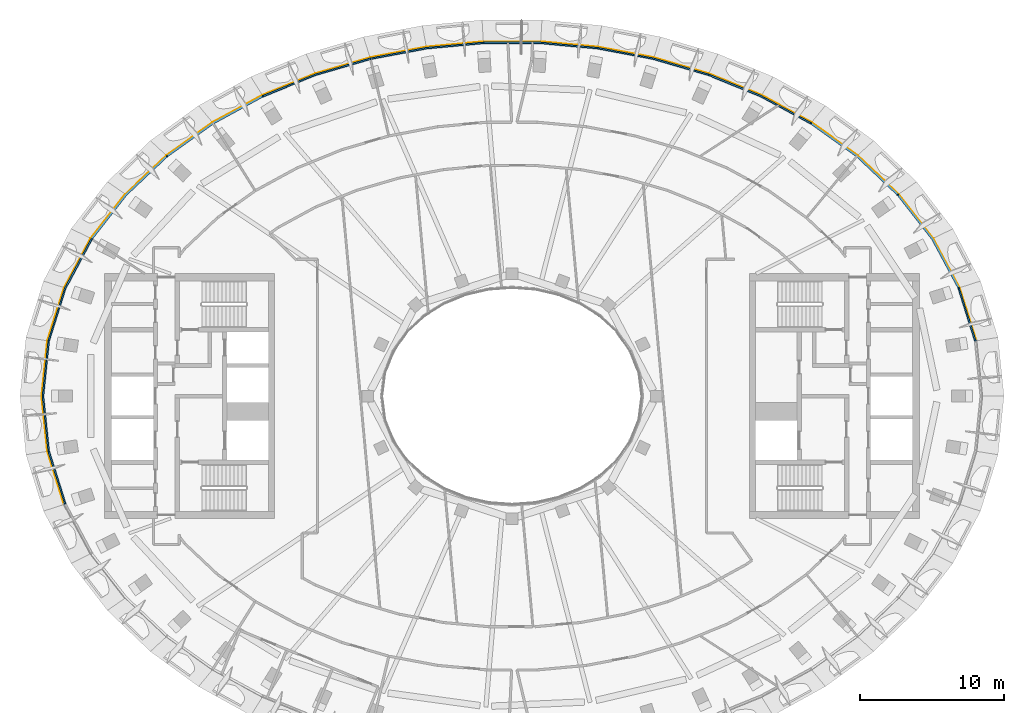
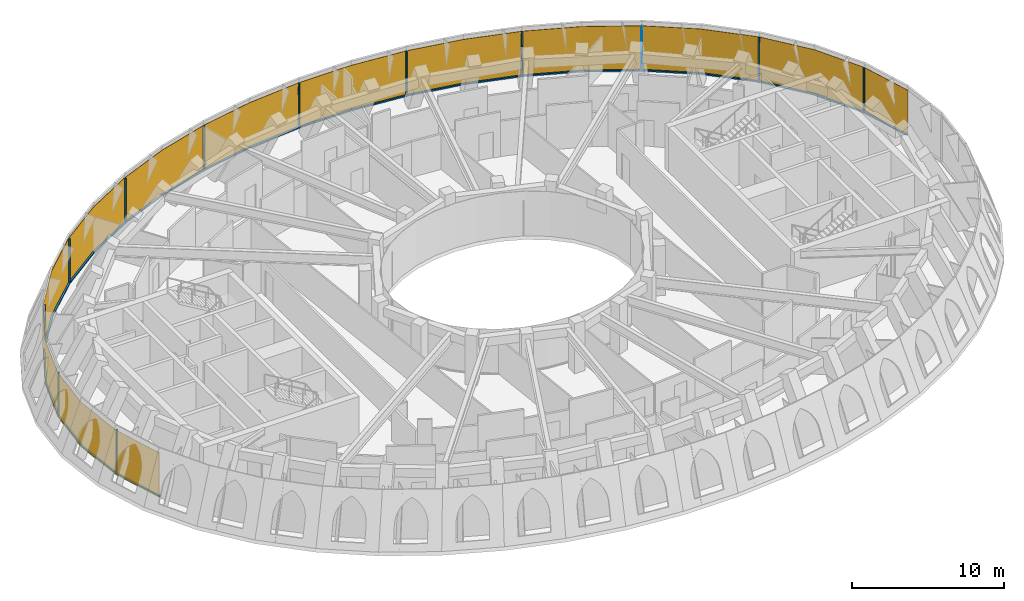
# One storey, part 10 of 14: 25 members, 1 curtain wall.
"""IFC4 building model written with IfcOpenShell, lengths in metres."""

import ifcopenshell
import ifcopenshell.guid

model = None  # the IFC model being written
_history = None  # IfcOwnerHistory: only IFC2X3 demands one
_inside = {}  # id of a spatial element -> (the spatial element, [elements in it])
_under = {}  # id of a project, library or spatial element -> (it, [spatial elements below it])
_declared = {}  # id of a project -> (the project, [libraries it declares])
_typed = {}  # id of a type object -> (the type object, [elements of that type])
_made_of = {}  # id of a material, layer set ... -> (it, [elements and type objects made of it])


def new_model(schema):
    """Start an empty IFC model of exactly this schema.

    Asked for "IFC4X3", IfcOpenShell would pick the latest addendum, in which some entities
    have other attributes; the version numbers below select the first issue.
    IFC2X3 requires an IfcOwnerHistory on every rooted entity: one is made here for all.
    """
    global model, _history
    if schema == "IFC4X3":
        model = ifcopenshell.file(schema_version=(4, 3, 0, 0))
    else:
        model = ifcopenshell.file(schema=schema)
    _inside.clear()
    _under.clear()
    _declared.clear()
    _typed.clear()
    _made_of.clear()
    _history = None
    if model.schema == "IFC2X3":
        org = make("IfcOrganization", Name="unknown")
        user = make(
            "IfcPersonAndOrganization",
            ThePerson=make("IfcPerson", FamilyName="unknown"),
            TheOrganization=org,
        )
        app = make(
            "IfcApplication",
            ApplicationDeveloper=org,
            Version="unknown",
            ApplicationFullName="unknown",
            ApplicationIdentifier="unknown",
        )
        _history = make(
            "IfcOwnerHistory",
            OwningUser=user,
            OwningApplication=app,
            ChangeAction="ADDED",
            CreationDate=0,
        )
    return model


def make(cls, **values):
    """One entity of the class cls with the attributes given. An attribute that is None is left unset."""
    return model.create_entity(
        cls, **{name: value for name, value in values.items() if value is not None}
    )


def rooted(cls, **values):
    """An entity with a GlobalId (a new one), such as an element, a storey or a relation."""
    return make(cls, GlobalId=ifcopenshell.guid.new(), OwnerHistory=_history, **values)


def si_unit(unit_type, name, prefix=None):
    """IfcSIUnit, for example si_unit("LENGTHUNIT", "METRE", prefix="MILLI")."""
    return make("IfcSIUnit", UnitType=unit_type, Prefix=prefix, Name=name)


def assignment(units):
    """IfcUnitAssignment: the units of a project."""
    return None if units is None else make("IfcUnitAssignment", Units=units)


def point(xyz):
    """IfcCartesianPoint."""
    return None if xyz is None else make("IfcCartesianPoint", Coordinates=xyz)


def direction(xyz):
    """IfcDirection."""
    return None if xyz is None else make("IfcDirection", DirectionRatios=xyz)


def frame(location, z_axis=None, x_axis=None):
    """IfcAxis2Placement3D, a coordinate frame: its origin and axes. An axis left out is left unset."""
    return make(
        "IfcAxis2Placement3D",
        Location=point(location),
        Axis=direction(z_axis),
        RefDirection=direction(x_axis),
    )


def frame_2d(location, x_axis=None):
    """IfcAxis2Placement2D, a coordinate frame in the plane: its origin and x axis."""
    return make(
        "IfcAxis2Placement2D", Location=point(location), RefDirection=direction(x_axis)
    )


def origin():
    """The frame at (0, 0, 0) with its axes left unset."""
    return frame((0.0, 0.0, 0.0))


def origin_2d():
    """The frame at (0, 0) in the plane with its x axis left unset."""
    return frame_2d((0.0, 0.0))


def place(relative_to, where):
    """IfcLocalPlacement: puts the frame where relative to a parent placement (None: the world)."""
    return make(
        "IfcLocalPlacement", PlacementRelTo=relative_to, RelativePlacement=where
    )


def context(
    kind, dimensions, precision=None, world=None, true_north=None, identifier=None
):
    """IfcGeometricRepresentationContext, for example the 3D "Model" context."""
    return make(
        "IfcGeometricRepresentationContext",
        ContextIdentifier=identifier,
        ContextType=kind,
        CoordinateSpaceDimension=dimensions,
        Precision=precision,
        WorldCoordinateSystem=world,
        TrueNorth=true_north,
    )


def subcontext(parent, identifier, kind, view, scale=None):
    """IfcGeometricRepresentationSubContext, for example "Body" below "Model"."""
    return make(
        "IfcGeometricRepresentationSubContext",
        ContextIdentifier=identifier,
        ContextType=kind,
        ParentContext=parent,
        TargetScale=scale,
        TargetView=view,
    )


def project(units=None, contexts=None):
    """IfcProject with its units and contexts."""
    return rooted(
        "IfcProject",
        Name="project",
        RepresentationContexts=contexts,
        UnitsInContext=assignment(units),
    )


def spatial(cls, under=None, at=None, **own):
    """A site, building, storey or space (cls), placed at a placement, below another one or the project."""
    s = rooted(cls, ObjectPlacement=at, **own)
    if under is not None:
        _under.setdefault(under.id(), (under, []))[1].append(s)
    return s


def polyline(points):
    """IfcPolyline through the points."""
    return make("IfcPolyline", Points=[point(p) for p in points])


def profile(cls, at=None, kind="AREA", **sizes):
    """A parametric profile (cls). Its sizes go by their IFC names, for example OverallWidth=200.0."""
    return make(cls, ProfileType=kind, Position=at, **sizes)


def rectangle(**sizes):
    """IfcRectangleProfileDef."""
    return profile("IfcRectangleProfileDef", **sizes)


def outline(outer, holes=None, kind="AREA"):
    """IfcArbitraryClosedProfileDef: a profile drawn as a closed curve; with holes, ...WithVoids."""
    if holes is None:
        return make("IfcArbitraryClosedProfileDef", ProfileType=kind, OuterCurve=outer)
    return make(
        "IfcArbitraryProfileDefWithVoids",
        ProfileType=kind,
        OuterCurve=outer,
        InnerCurves=holes,
    )


def extrude(swept, where, along, depth):
    """IfcExtrudedAreaSolid: the profile swept, set in the frame where, extruded along a direction by depth."""
    return make(
        "IfcExtrudedAreaSolid",
        SweptArea=swept,
        Position=where,
        ExtrudedDirection=direction(along),
        Depth=depth,
    )


def shape(context_of_items, identifier, shape_type, items):
    """IfcShapeRepresentation: the items that make up one representation, for example the "Body"."""
    return make(
        "IfcShapeRepresentation",
        ContextOfItems=context_of_items,
        RepresentationIdentifier=identifier,
        RepresentationType=shape_type,
        Items=items,
    )


def material(Name=None, Category=None):
    """IfcMaterial."""
    return make("IfcMaterial", Name=Name, Category=Category)


def layer(
    of_material, thickness, ventilated=None, Name=None, Category=None, Priority=None
):
    """IfcMaterialLayer: one layer of a wall or slab, of a material (None: an air gap)."""
    return make(
        "IfcMaterialLayer",
        Material=of_material,
        LayerThickness=thickness,
        IsVentilated=ventilated,
        Name=Name,
        Category=Category,
        Priority=Priority,
    )


def layer_set(layers, Name=None):
    """IfcMaterialLayerSet."""
    return make("IfcMaterialLayerSet", MaterialLayers=layers, LayerSetName=Name)


def material_profile(
    of_material, cross_section, Name=None, Category=None, Priority=None
):
    """IfcMaterialProfile: a cross section and its material."""
    return make(
        "IfcMaterialProfile",
        Name=Name,
        Material=of_material,
        Profile=cross_section,
        Priority=Priority,
        Category=Category,
    )


def profile_set(profiles, Name=None, composite=None):
    """IfcMaterialProfileSet."""
    return make(
        "IfcMaterialProfileSet",
        Name=Name,
        MaterialProfiles=profiles,
        CompositeProfile=composite,
    )


def made_of(thing, what):
    """Note that an element or type object is made of a material, layer set ...; save() writes the relation."""
    if what is not None:
        _made_of.setdefault(what.id(), (what, []))[1].append(thing)
    return thing


def type_object(cls, material=None, **own):
    """A type object (cls), such as IfcWallType, which elements share."""
    return made_of(rooted(cls, **own), material)


def element(
    cls,
    number,
    at=None,
    inside=None,
    cuts=None,
    type_object=None,
    material=None,
    context=None,
    identifier="Body",
    shape_type=None,
    held_by="IfcProductDefinitionShape",
    body=None,
    shapes=None,
    **own,
):
    """One element of the class cls, such as IfcWall. Its Tag is "e" and its number.

    at: its placement. inside: the storey or other place that contains it. cuts: it is an
    opening in that element (IfcRelVoidsElement). A single representation is given by context,
    identifier, shape_type and body (its items); several are given by shapes. held_by: the class
    of the entity that holds the representations. save() writes the other relations.
    """
    e = rooted(cls, Tag="e%d" % number, ObjectPlacement=at, **own)
    if body is not None:
        shapes = [shape(context, identifier, shape_type, body)]
    if shapes is not None:
        e.Representation = make(held_by, Representations=shapes)
    if inside is not None:
        _inside.setdefault(inside.id(), (inside, []))[1].append(e)
    if cuts is not None:
        rooted(
            "IfcRelVoidsElement", RelatingBuildingElement=cuts, RelatedOpeningElement=e
        )
    if type_object is not None:
        _typed.setdefault(type_object.id(), (type_object, []))[1].append(e)
    return made_of(e, material)


def aggregate(whole, parts):
    """IfcRelAggregates: a whole, such as a stair, and the parts it consists of."""
    return rooted("IfcRelAggregates", RelatingObject=whole, RelatedObjects=parts)


def save(model, path):
    """Write the relations noted so far, then the file.

    IfcRelAggregates (storeys below a building ...), IfcRelContainedInSpatialStructure (elements
    in a storey), IfcRelDefinesByType, IfcRelAssociatesMaterial and IfcRelDeclares: one each for
    every whole, place, type object, material and project.
    """
    for whole, parts in _under.values():
        aggregate(whole, parts)
    for where, things in _inside.values():
        rooted(
            "IfcRelContainedInSpatialStructure",
            RelatedElements=things,
            RelatingStructure=where,
        )
    for kind, things in _typed.values():
        rooted("IfcRelDefinesByType", RelatedObjects=things, RelatingType=kind)
    for what, things in _made_of.values():
        rooted("IfcRelAssociatesMaterial", RelatedObjects=things, RelatingMaterial=what)
    for by, libraries in _declared.values():
        rooted("IfcRelDeclares", RelatingContext=by, RelatedDefinitions=libraries)
    model.write(path)


model = new_model("IFC4")

# Units and contexts
model_context = context("Model", 3, precision=1e-05, world=origin(), true_north=direction((0.0, 1.0)))
body_context = subcontext(model_context, "Body", "Model", "MODEL_VIEW")
ifc_project = project(units=[si_unit("LENGTHUNIT", "METRE"), si_unit("AREAUNIT", "SQUARE_METRE"), si_unit("VOLUMEUNIT", "CUBIC_METRE"), si_unit("PLANEANGLEUNIT", "RADIAN"), si_unit("MASSUNIT", "GRAM", prefix="KILO")], contexts=[model_context])

# Member
ifc_material_1 = material(Name="Aluminium 6063-T6 black anodised", Category="aluminium")
ifc_material_profile = material_profile(ifc_material_1, rectangle(XDim=0.1201171875, YDim=0.06005859375, at=origin_2d()), Name="120x60")
ifc_profile_set = profile_set([ifc_material_profile], Name="Aluminium 6063-T6 black anodised")
member_type_1 = type_object("IfcMemberType", Name="ENV-MULLION-H-120", PredefinedType="MULLION", material=ifc_profile_set)
site_placement = place(None, origin())
building_placement = place(site_placement, origin())
storey_placement = place(building_placement, frame((0.0, 0.0, 343.0)))
member_1_placement = place(storey_placement, frame((31.016357421875, 7.493408203125, 0.0), z_axis=(0.0, 0.0, 1.0), x_axis=(-0.921508192608, -0.388358920274, 0.0)))
member_1 = element("IfcMember", 1, at=member_1_placement, type_object=member_type_1, Name="Mullion H radial 03", PredefinedType="MULLION", context=body_context, shape_type="SweptSolid", body=[
    extrude(rectangle(XDim=0.1201171875, YDim=0.06005859375, at=origin_2d()), origin(), (0.0, 0.0, 1.0), 3.580078125),
])

member_2_placement = place(storey_placement, frame((26.793212890625, 13.966552734375, 0.0), z_axis=(0.0, 0.0, 1.0), x_axis=(-0.73931620494, -0.67335841059, 0.0)))
member_2 = element("IfcMember", 2, at=member_2_placement, type_object=member_type_1, Name="Mullion H radial 05", PredefinedType="MULLION", context=body_context, shape_type="SweptSolid", body=[
    extrude(rectangle(XDim=0.1201171875, YDim=0.06005859375, at=origin_2d()), origin(), (0.0, 0.0, 1.0), 3.580078125),
])

member_3_placement = place(storey_placement, frame((20.75634765625, 18.931640625, 0.0), z_axis=(0.0, 0.0, 1.0), x_axis=(-0.531036252239, -0.847349100907, 0.0)))
member_3 = element("IfcMember", 3, at=member_3_placement, type_object=member_type_1, Name="Mullion H radial 07", PredefinedType="MULLION", context=body_context, shape_type="SweptSolid", body=[
    extrude(rectangle(XDim=0.1201171875, YDim=0.06005859375, at=origin_2d()), origin(), (0.0, 0.0, 1.0), 3.580078125),
])

member_4_placement = place(storey_placement, frame((13.637451171875, 22.310546875, 0.0), z_axis=(0.0, 0.0, 1.0), x_axis=(-0.329629873064, -0.9441102408, 0.0)))
member_4 = element("IfcMember", 4, at=member_4_placement, type_object=member_type_1, Name="Mullion H radial 09", PredefinedType="MULLION", context=body_context, shape_type="SweptSolid", body=[
    extrude(rectangle(XDim=0.1201171875, YDim=0.06005859375, at=origin_2d()), origin(), (0.0, 0.0, 1.0), 3.580078125),
])

member_5_placement = place(storey_placement, frame((5.9384765625, 24.15673828125, 0.0), z_axis=(0.0, 0.0, 1.0), x_axis=(-0.139002505328, -0.99029202941, 0.0)))
member_5 = element("IfcMember", 5, at=member_5_placement, type_object=member_type_1, Name="Mullion H radial 11", PredefinedType="MULLION", context=body_context, shape_type="SweptSolid", body=[
    extrude(rectangle(XDim=0.1201171875, YDim=0.06005859375, at=origin_2d()), origin(), (0.0, 0.0, 1.0), 3.580078125),
])

member_6_placement = place(storey_placement, frame((-1.985595703125, 24.52294921875, 0.0), z_axis=(0.0, 0.0, 1.0), x_axis=(0.046177574871, -0.998933246808, 0.0)))
member_6 = element("IfcMember", 6, at=member_6_placement, type_object=member_type_1, Name="Mullion H radial 13", PredefinedType="MULLION", context=body_context, shape_type="SweptSolid", body=[
    extrude(rectangle(XDim=0.1201171875, YDim=0.06005859375, at=origin_2d()), origin(), (0.0, 0.0, 1.0), 3.580078125),
])

member_7_placement = place(storey_placement, frame((-9.8359375, 23.421142578125, 0.0), z_axis=(0.0, 0.0, 1.0), x_axis=(0.23321217369, -0.972425874832, 0.0)))
member_7 = element("IfcMember", 7, at=member_7_placement, type_object=member_type_1, Name="Mullion H radial 15", PredefinedType="MULLION", context=body_context, shape_type="SweptSolid", body=[
    extrude(rectangle(XDim=0.1201171875, YDim=0.06005859375, at=origin_2d()), origin(), (0.0, 0.0, 1.0), 3.580078125),
])

member_8_placement = place(storey_placement, frame((-17.29638671875, 20.81689453125, 0.0), z_axis=(0.0, 0.0, 1.0), x_axis=(0.42885978968, -0.903371064843, 0.0)))
member_8 = element("IfcMember", 8, at=member_8_placement, type_object=member_type_1, Name="Mullion H radial 17", PredefinedType="MULLION", context=body_context, shape_type="SweptSolid", body=[
    extrude(rectangle(XDim=0.1201171875, YDim=0.06005859375, at=origin_2d()), origin(), (0.0, 0.0, 1.0), 3.580078125),
])

member_9_placement = place(storey_placement, frame((-23.949951171875, 16.648193359375, 0.0), z_axis=(0.0, 0.0, 1.0), x_axis=(0.635358433508, -0.772217366401, 0.0)))
member_9 = element("IfcMember", 9, at=member_9_placement, type_object=member_type_1, Name="Mullion H radial 19", PredefinedType="MULLION", context=body_context, shape_type="SweptSolid", body=[
    extrude(rectangle(XDim=0.1201171875, YDim=0.06005859375, at=origin_2d()), origin(), (0.0, 0.0, 1.0), 3.580078125),
])

member_10_placement = place(storey_placement, frame((-29.18603515625, 10.9013671875, 0.0), z_axis=(0.0, 0.0, 1.0), x_axis=(0.83764393607, -0.546216656983, 0.0)))
member_10 = element("IfcMember", 10, at=member_10_placement, type_object=member_type_1, Name="Mullion H radial 21", PredefinedType="MULLION", context=body_context, shape_type="SweptSolid", body=[
    extrude(rectangle(XDim=0.1201171875, YDim=0.06005859375, at=origin_2d()), origin(), (0.0, 0.0, 1.0), 3.580078125),
])

member_11_placement = place(storey_placement, frame((-32.17236328125, 3.820068359375, 0.0), z_axis=(0.0, 0.0, 1.0), x_axis=(0.97924107992, -0.202699056231, 0.0)))
member_11 = element("IfcMember", 11, at=member_11_placement, type_object=member_type_1, Name="Mullion H radial 23", PredefinedType="MULLION", context=body_context, shape_type="SweptSolid", body=[
    extrude(rectangle(XDim=0.1201171875, YDim=0.06005859375, at=origin_2d()), origin(), (0.0, 0.0, 1.0), 3.580078125),
])

member_12_placement = place(storey_placement, frame((-32.17236328125, -3.820068359375, 0.0), z_axis=(0.0, 0.0, 1.0), x_axis=(0.97924107992, 0.202699056231, 0.0)))
member_12 = element("IfcMember", 12, at=member_12_placement, type_object=member_type_1, Name="Mullion H radial 25", PredefinedType="MULLION", context=body_context, shape_type="SweptSolid", body=[
    extrude(rectangle(XDim=0.1201171875, YDim=0.06005859375, at=origin_2d()), origin(), (0.0, 0.0, 1.0), 3.580078125),
])

ifc_material_2 = material(Name="Aluminium 6063-T6 black anodised", Category="aluminium")
member_type_2 = type_object("IfcMemberType", Name="ENV-TRANSOM-H", PredefinedType="USERDEFINED", material=ifc_material_2)
member_13_placement = place(storey_placement, origin())
member_13 = element("IfcMember", 13, at=member_13_placement, type_object=member_type_2, Name="Transom H radial 02-03", ObjectType="TRANSOM", PredefinedType="USERDEFINED", context=body_context, shape_type="SweptSolid", body=[
    extrude(outline(polyline([(32.23095703125, 3.832275390625), (31.079833984375, 7.489990234375), (30.96875, 7.443115234375), (32.11279296875, 3.807861328125), (32.23095703125, 3.832275390625)])), origin(), (0.0, 0.0, 1.0), 0.10009765625),
])

member_14_placement = place(storey_placement, origin())
member_14 = element("IfcMember", 14, at=member_14_placement, type_object=member_type_2, Name="Transom H radial 03-05", ObjectType="TRANSOM", PredefinedType="USERDEFINED", context=body_context, shape_type="SweptSolid", body=[
    extrude(outline(polyline([(31.05810546875, 7.54150390625), (29.236328125, 10.93408203125), (26.854736328125, 13.98486328125), (26.765625, 13.90380859375), (29.135498046875, 10.868408203125), (30.947265625, 7.49462890625), (31.05810546875, 7.54150390625)])), origin(), (0.0, 0.0, 1.0), 0.10009765625),
])

member_15_placement = place(storey_placement, origin())
member_15 = element("IfcMember", 15, at=member_15_placement, type_object=member_type_2, Name="Transom H radial 05-07", ObjectType="TRANSOM", PredefinedType="USERDEFINED", context=body_context, shape_type="SweptSolid", body=[
    extrude(outline(polyline([(26.817138671875, 14.026123046875), (23.988037109375, 16.694580078125), (20.81103515625, 18.96630859375), (20.747314453125, 18.8642578125), (23.91162109375, 16.6015625), (26.72802734375, 13.945068359375), (26.817138671875, 14.026123046875)])), origin(), (0.0, 0.0, 1.0), 0.10009765625),
])

member_16_placement = place(storey_placement, origin())
member_16 = element("IfcMember", 16, at=member_16_placement, type_object=member_type_2, Name="Transom H radial 07-09", ObjectType="TRANSOM", PredefinedType="USERDEFINED", context=body_context, shape_type="SweptSolid", body=[
    extrude(outline(polyline([(20.763671875, 18.995849609375), (17.322021484375, 20.87109375), (13.68310546875, 22.356689453125), (13.6435546875, 22.2431640625), (17.2705078125, 20.762451171875), (20.69970703125, 18.89404296875), (20.763671875, 18.995849609375)])), origin(), (0.0, 0.0, 1.0), 0.10009765625),
])

member_17_placement = place(storey_placement, origin())
member_17 = element("IfcMember", 17, at=member_17_placement, type_object=member_type_2, Name="Transom H radial 09-11", ObjectType="TRANSOM", PredefinedType="USERDEFINED", context=body_context, shape_type="SweptSolid", body=[
    extrude(outline(polyline([(13.63037109375, 22.375), (9.85009765625, 23.4794921875), (5.97412109375, 24.210693359375), (5.95751953125, 24.091796875), (9.822021484375, 23.362548828125), (13.5908203125, 22.261474609375), (13.63037109375, 22.375)])), origin(), (0.0, 0.0, 1.0), 0.10009765625),
])

member_18_placement = place(storey_placement, origin())
member_18 = element("IfcMember", 18, at=member_18_placement, type_object=member_type_2, Name="Transom H radial 11-13", ObjectType="TRANSOM", PredefinedType="USERDEFINED", context=body_context, shape_type="SweptSolid", body=[
    extrude(outline(polyline([(5.9189453125, 24.218505859375), (1.98828125, 24.582763671875), (-1.960205078125, 24.582763671875), (-1.95458984375, 24.462890625), (1.982666015625, 24.462890625), (5.902099609375, 24.099609375), (5.9189453125, 24.218505859375)])), origin(), (0.0, 0.0, 1.0), 0.10009765625),
])

member_19_placement = place(storey_placement, origin())
member_19 = element("IfcMember", 19, at=member_19_placement, type_object=member_type_2, Name="Transom H radial 13-15", ObjectType="TRANSOM", PredefinedType="USERDEFINED", context=body_context, shape_type="SweptSolid", body=[
    extrude(outline(polyline([(-2.01611328125, 24.580078125), (-5.94677734375, 24.216064453125), (-9.822509765625, 23.484619140625), (-9.79443359375, 23.367919921875), (-5.929931640625, 24.09716796875), (-2.010498046875, 24.460205078125), (-2.01611328125, 24.580078125)])), origin(), (0.0, 0.0, 1.0), 0.10009765625),
])

member_20_placement = place(storey_placement, origin())
member_20 = element("IfcMember", 20, at=member_20_placement, type_object=member_type_2, Name="Transom H radial 15-17", ObjectType="TRANSOM", PredefinedType="USERDEFINED", context=body_context, shape_type="SweptSolid", body=[
    extrude(outline(polyline([(-9.876708984375, 23.4716796875), (-13.6572265625, 22.3671875), (-17.296142578125, 20.881591796875), (-17.244384765625, 20.773193359375), (-13.61767578125, 22.253662109375), (-9.848876953125, 23.354736328125), (-9.876708984375, 23.4716796875)])), origin(), (0.0, 0.0, 1.0), 0.10009765625),
])

member_21_placement = place(storey_placement, origin())
member_21 = element("IfcMember", 21, at=member_21_placement, type_object=member_type_2, Name="Transom H radial 17-19", ObjectType="TRANSOM", PredefinedType="USERDEFINED", context=body_context, shape_type="SweptSolid", body=[
    extrude(outline(polyline([(-17.3466796875, 20.857666015625), (-20.788330078125, 18.982421875), (-23.965087890625, 16.710693359375), (-23.888916015625, 16.617919921875), (-20.724365234375, 18.880615234375), (-17.294921875, 20.7490234375), (-17.3466796875, 20.857666015625)])), origin(), (0.0, 0.0, 1.0), 0.10009765625),
])

member_22_placement = place(storey_placement, origin())
member_22 = element("IfcMember", 22, at=member_22_placement, type_object=member_type_2, Name="Transom H radial 19-21", ObjectType="TRANSOM", PredefinedType="USERDEFINED", context=body_context, shape_type="SweptSolid", body=[
    extrude(outline(polyline([(-24.00830078125, 16.67529296875), (-26.83740234375, 14.0068359375), (-29.218994140625, 10.956298828125), (-29.1181640625, 10.890380859375), (-26.74853515625, 13.92578125), (-23.931884765625, 16.58251953125), (-24.00830078125, 16.67529296875)])), origin(), (0.0, 0.0, 1.0), 0.10009765625),
])

member_23_placement = place(storey_placement, origin())
member_23 = element("IfcMember", 23, at=member_23_placement, type_object=member_type_2, Name="Transom H radial 21-23", ObjectType="TRANSOM", PredefinedType="USERDEFINED", context=body_context, shape_type="SweptSolid", body=[
    extrude(outline(polyline([(-29.24951171875, 10.909423828125), (-31.071533203125, 7.516845703125), (-32.22265625, 3.85888671875), (-32.1044921875, 3.834716796875), (-30.96044921875, 7.469970703125), (-29.148681640625, 10.84375), (-29.24951171875, 10.909423828125)])), origin(), (0.0, 0.0, 1.0), 0.10009765625),
])

member_24_placement = place(storey_placement, origin())
member_24 = element("IfcMember", 24, at=member_24_placement, type_object=member_type_2, Name="Transom H radial 23-25", ObjectType="TRANSOM", PredefinedType="USERDEFINED", context=body_context, shape_type="SweptSolid", body=[
    extrude(outline(polyline([(-32.23388671875, 3.804443359375), (-32.62841796875, 0.0), (-32.23388671875, -3.804443359375), (-32.11572265625, -3.780029296875), (-32.5078125, 0.0), (-32.11572265625, 3.780029296875), (-32.23388671875, 3.804443359375)])), origin(), (0.0, 0.0, 1.0), 0.10009765625),
])

member_25_placement = place(storey_placement, origin())
member_25 = element("IfcMember", 25, at=member_25_placement, type_object=member_type_2, Name="Transom H radial 25-26", ObjectType="TRANSOM", PredefinedType="USERDEFINED", context=body_context, shape_type="SweptSolid", body=[
    extrude(outline(polyline([(-32.22265625, -3.85888671875), (-31.071533203125, -7.516845703125), (-30.96044921875, -7.469970703125), (-32.1044921875, -3.834716796875), (-32.22265625, -3.85888671875)])), origin(), (0.0, 0.0, 1.0), 0.10009765625),
])

# Site, building, storey
site = spatial("IfcSite", under=ifc_project, at=site_placement, CompositionType="ELEMENT")
building = spatial("IfcBuilding", under=site, at=building_placement, Name="Noorbagh Ring Tower", CompositionType="ELEMENT")
storey = spatial("IfcBuildingStorey", under=building, at=storey_placement, Name="L75", CompositionType="ELEMENT", Elevation=343.0)

# Curtain wall
ifc_material_3 = material(Name="Glass dark tinted laminated", Category="glass")
ifc_layer = layer(ifc_material_3, 0.031982421875)
ifc_layer_set = layer_set([ifc_layer], Name="Glass dark tinted laminated")
curtain_wall_type = type_object("IfcCurtainWallType", Name="ENV-CW-H", PredefinedType="NOTDEFINED", material=ifc_layer_set)
curtain_wall_placement = place(storey_placement, origin())
curtain_wall = element("IfcCurtainWall", 26, at=curtain_wall_placement, inside=storey, type_object=curtain_wall_type, Name="Curtain wall H R02", PredefinedType="NOTDEFINED", context=body_context, shape_type="SweptSolid", body=[
    extrude(outline(polyline([(32.262451171875, 3.8388671875), (31.10107421875, 7.529296875), (29.26318359375, 10.95166015625), (26.861083984375, 14.028564453125), (24.00830078125, 16.71923828125), (20.805419921875, 19.009765625), (17.335693359375, 20.89990234375), (13.667724609375, 22.3974609375), (9.857421875, 23.510498046875), (5.951171875, 24.247802734375), (1.98974609375, 24.61474609375), (-1.98974609375, 24.61474609375), (-5.951171875, 24.247802734375), (-9.857421875, 23.510498046875), (-13.667724609375, 22.3974609375), (-17.335693359375, 20.89990234375), (-20.805419921875, 19.009765625), (-24.00830078125, 16.71923828125), (-26.861083984375, 14.028564453125), (-29.26318359375, 10.95166015625), (-31.10107421875, 7.529296875), (-32.262451171875, 3.8388671875), (-32.66064453125, 0.0), (-32.262451171875, -3.8388671875), (-31.10107421875, -7.529296875), (-31.071533203125, -7.516845703125), (-32.23095703125, -3.832275390625), (-32.62841796875, 0.0), (-32.23095703125, 3.832275390625), (-31.071533203125, 7.516845703125), (-29.236328125, 10.93408203125), (-26.83740234375, 14.0068359375), (-23.988037109375, 16.694580078125), (-20.788330078125, 18.982421875), (-17.322021484375, 20.87109375), (-13.6572265625, 22.3671875), (-9.85009765625, 23.4794921875), (-5.94677734375, 24.216064453125), (-1.98828125, 24.582763671875), (1.98828125, 24.582763671875), (5.94677734375, 24.216064453125), (9.85009765625, 23.4794921875), (13.6572265625, 22.3671875), (17.322021484375, 20.87109375), (20.788330078125, 18.982421875), (23.988037109375, 16.694580078125), (26.83740234375, 14.0068359375), (29.236328125, 10.93408203125), (31.071533203125, 7.516845703125), (32.23095703125, 3.832275390625), (32.262451171875, 3.8388671875)])), origin(), (0.0, 0.0, 1.0), 3.580078125),
])

aggregate(curtain_wall, [member_1, member_2, member_3, member_4, member_5, member_6, member_7, member_8, member_9, member_10, member_11, member_12, member_13, member_14, member_15, member_16, member_17, member_18, member_19, member_20, member_21, member_22, member_23, member_24, member_25])

save(model, "model.ifc")
